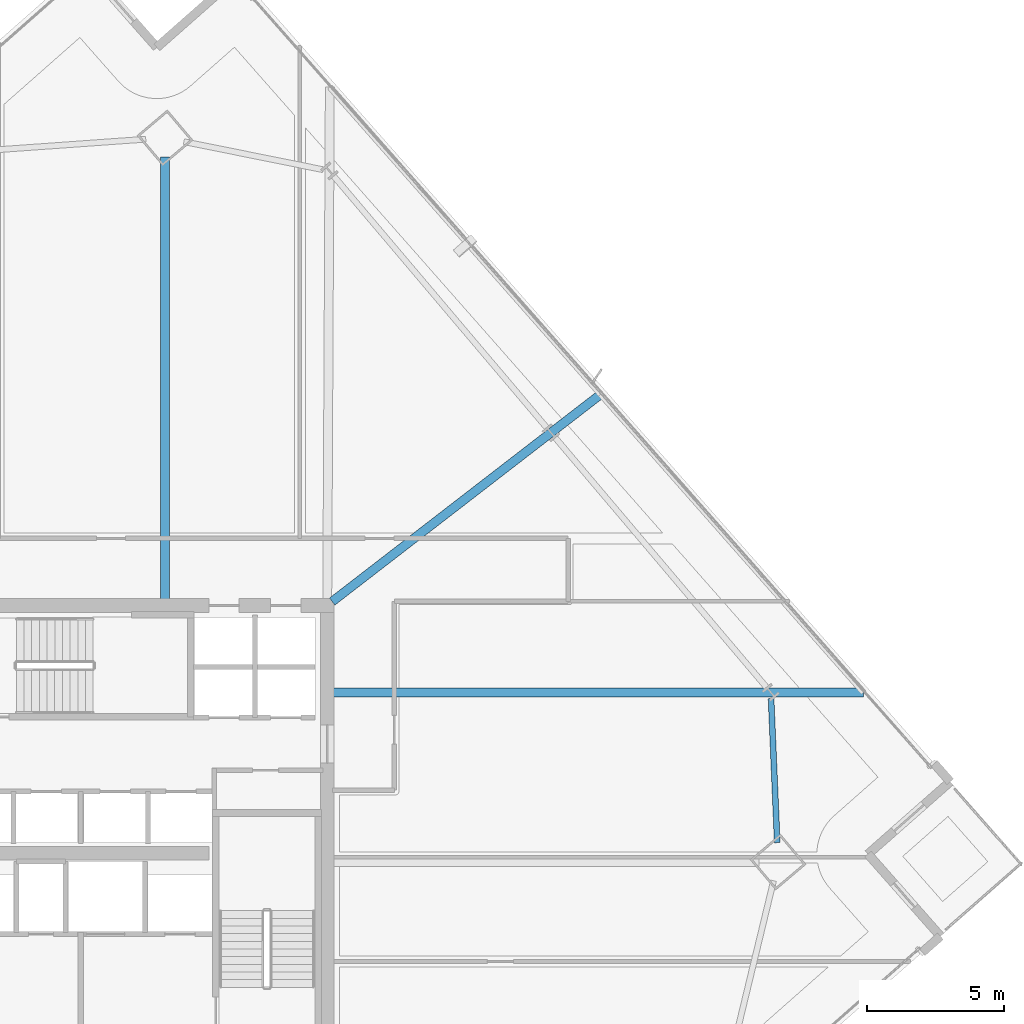
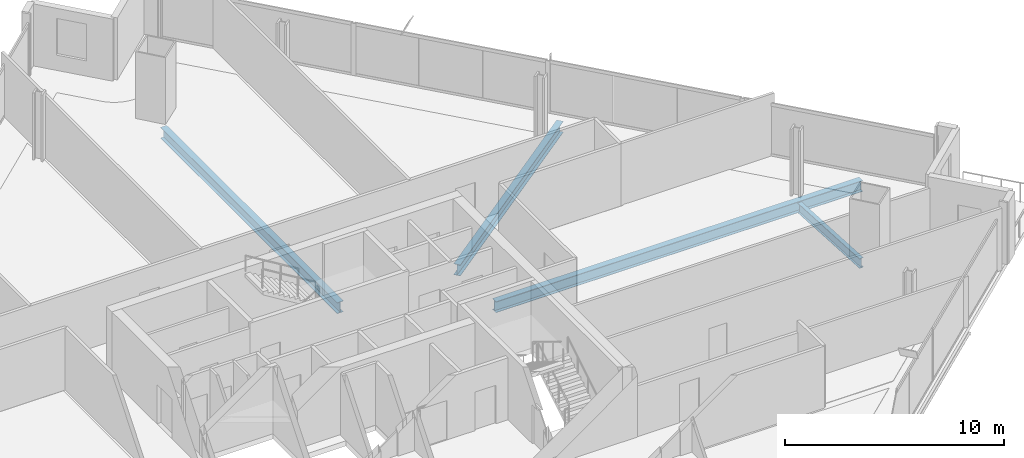
# One storey, part 21 of 34: 4 beams.
"""IFC4 building model written with IfcOpenShell, lengths in metres."""

from ifc_helpers import new_model, si_unit, direction, frame, origin, origin_2d, place, context, subcontext, project, spatial, i_section, extrude, material, material_profile, profile_set, type_object, element, save


model = new_model("IFC4")

# Units and contexts
model_context = context("Model", 3, precision=1e-05, world=origin(), true_north=direction((0.0, 1.0)))
body_context = subcontext(model_context, "Body", "Model", "MODEL_VIEW")
ifc_project = project(units=[si_unit("LENGTHUNIT", "METRE"), si_unit("AREAUNIT", "SQUARE_METRE"), si_unit("VOLUMEUNIT", "CUBIC_METRE"), si_unit("PLANEANGLEUNIT", "RADIAN"), si_unit("MASSUNIT", "GRAM", prefix="KILO")], contexts=[model_context])

# Site, building, storey
site_placement = place(None, origin())
site = spatial("IfcSite", under=ifc_project, at=site_placement, CompositionType="ELEMENT")
building_placement = place(site_placement, origin())
building = spatial("IfcBuilding", under=site, at=building_placement, Name="Haldenkirk Collegiate Tower", CompositionType="ELEMENT")
storey_placement = place(building_placement, frame((0.0, 0.0, 166.949951171875)))
storey = spatial("IfcBuildingStorey", under=building, at=storey_placement, Name="L41", CompositionType="ELEMENT", Elevation=166.949951171875)

# Beams
ifc_material = material(Name="Steel ASTM A992 Grade 50", Category="steel")
ifc_material_profile_1 = material_profile(ifc_material, i_section(OverallWidth=0.324951171875, OverallDepth=0.615966796875, WebThickness=0.013916015625, FlangeThickness=0.021484375, at=origin_2d()), Name="W24X117")
ifc_profile_set_1 = profile_set([ifc_material_profile_1], Name="Steel ASTM A992 Grade 50")
beam_type_1 = type_object("IfcBeamType", Name="BM-GIRDER-W24X117", PredefinedType="BEAM", material=ifc_profile_set_1)
beam_1_placement = place(storey_placement, frame((39.076904296875, 50.3701171875, -0.597900390625), z_axis=(0.0, -1.0, 0.0), x_axis=(1.0, 0.0, 0.0)))
element("IfcBeam", 1, at=beam_1_placement, inside=storey, type_object=beam_type_1, Name="L41 primary floor girder 03", PredefinedType="BEAM", context=body_context, shape_type="SweptSolid", body=[
    extrude(i_section(OverallWidth=0.324951171875, OverallDepth=0.615966796875, WebThickness=0.013916015625, FlangeThickness=0.021484375, at=origin_2d()), origin(), (0.0, 0.0, 1.0), 16.14013671875),
])
beam_2_placement = place(storey_placement, frame((64.58203125, 30.82421875, -0.597900390625), z_axis=(-1.0, 0.0, 0.0), x_axis=(0.0, -1.0, 0.0)))
element("IfcBeam", 2, at=beam_2_placement, inside=storey, type_object=beam_type_1, Name="L41 primary floor girder 08", PredefinedType="BEAM", context=body_context, shape_type="SweptSolid", body=[
    extrude(i_section(OverallWidth=0.324951171875, OverallDepth=0.615966796875, WebThickness=0.013916015625, FlangeThickness=0.021484375, at=origin_2d()), origin(), (0.0, 0.0, 1.0), 19.35205078125),
])
beam_3_placement = place(storey_placement, frame((54.986328125, 41.708251953125, -0.597900390625), z_axis=(-0.79160136118, -0.61103787524, 0.0), x_axis=(0.61103787524, -0.79160136118, 0.0)))
element("IfcBeam", 3, at=beam_3_placement, inside=storey, type_object=beam_type_1, Name="L41 primary floor girder 09", PredefinedType="BEAM", context=body_context, shape_type="SweptSolid", body=[
    extrude(i_section(OverallWidth=0.324951171875, OverallDepth=0.615966796875, WebThickness=0.013916015625, FlangeThickness=0.021484375, at=origin_2d()), origin(), (0.0, 0.0, 1.0), 12.38525390625),
])
ifc_material_profile_2 = material_profile(ifc_material, i_section(OverallWidth=0.2119140625, OverallDepth=0.5439453125, WebThickness=0.01318359375, FlangeThickness=0.021240234375, at=origin_2d()), Name="W21X83")
ifc_profile_set_2 = profile_set([ifc_material_profile_2], Name="Steel ASTM A992 Grade 50")
beam_type_2 = type_object("IfcBeamType", Name="BM-SPANDREL-W21X83", PredefinedType="SPANDREL", material=ifc_profile_set_2)
beam_4_placement = place(storey_placement, frame((61.434814453125, 25.33349609375, -0.56201171875), z_axis=(-0.042833703015, 0.999082215779, 0.0), x_axis=(-0.999082215779, -0.042833703015, 0.0)))
element("IfcBeam", 4, at=beam_4_placement, inside=storey, type_object=beam_type_2, Name="L41 perimeter spandrel beam 05", PredefinedType="SPANDREL", context=body_context, shape_type="SweptSolid", body=[
    extrude(i_section(OverallWidth=0.2119140625, OverallDepth=0.5439453125, WebThickness=0.01318359375, FlangeThickness=0.021240234375, at=origin_2d()), origin(), (0.0, 0.0, 1.0), 5.2666015625),
])

save(model, "model.ifc")
